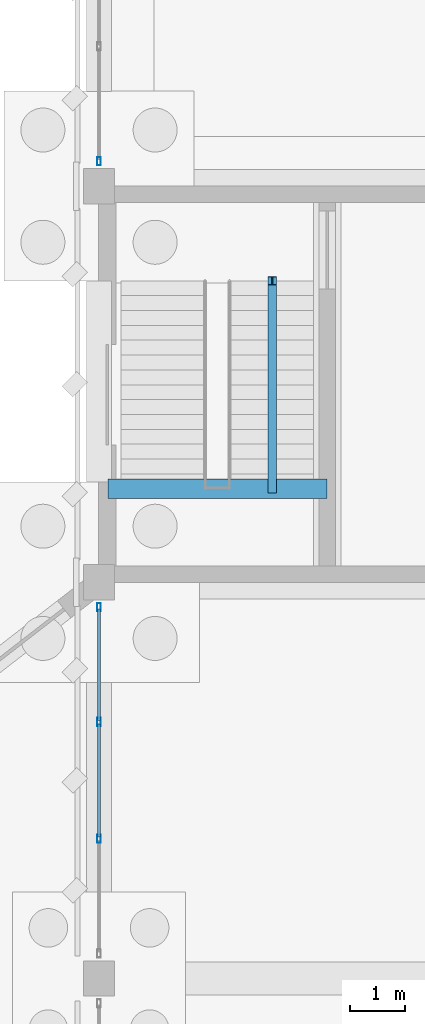
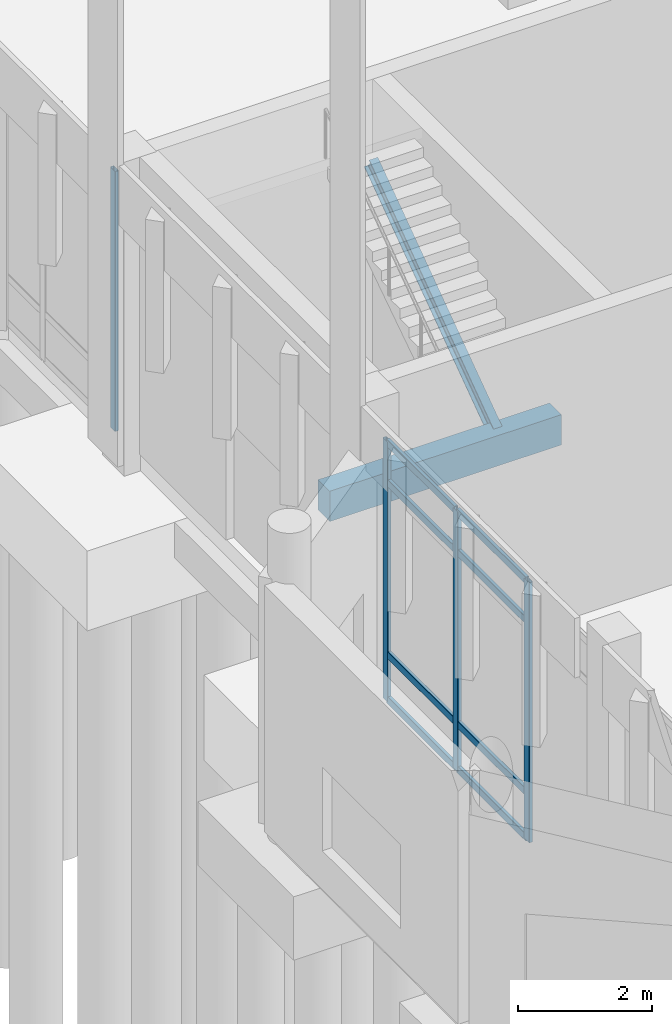
# One storey, part 35 of 109: 12 members, 2 beams, 2 elements without a shape of their own.
"""IFC4 building model written with IfcOpenShell, lengths in metres."""

from ifc_helpers import new_model, si_unit, direction, frame, origin, origin_2d, place, context, subcontext, project, spatial, rectangle, hollow_rectangle, i_section, extrude, material, material_profile, profile_set, type_object, element, aggregate, save


model = new_model("IFC4")

# Units and contexts
model_context = context("Model", 3, precision=1e-05, world=origin(), true_north=direction((0.0, 1.0)))
body_context = subcontext(model_context, "Body", "Model", "MODEL_VIEW")
ifc_project = project(units=[si_unit("LENGTHUNIT", "METRE"), si_unit("AREAUNIT", "SQUARE_METRE"), si_unit("VOLUMEUNIT", "CUBIC_METRE"), si_unit("PLANEANGLEUNIT", "RADIAN"), si_unit("MASSUNIT", "GRAM", prefix="KILO")], contexts=[model_context])

# Site, building, storey
site_placement = place(None, origin())
site = spatial("IfcSite", under=ifc_project, at=site_placement, CompositionType="ELEMENT")
building_placement = place(site_placement, origin())
building = spatial("IfcBuilding", under=site, at=building_placement, Name="Lusvemor Sports Hall", CompositionType="ELEMENT")
storey_placement = place(building_placement, origin())
storey = spatial("IfcBuildingStorey", under=building, at=storey_placement, Name="L00", CompositionType="ELEMENT", Elevation=0.0)

# Beam
ifc_material_1 = material(Name="Concrete C40/50", Category="concrete")
ifc_material_profile_1 = material_profile(ifc_material_1, rectangle(XDim=0.35009765625, YDim=0.550048828125, at=origin_2d()), Name="RC350x550")
ifc_profile_set_1 = profile_set([ifc_material_profile_1], Name="Concrete C40/50")
beam_type_1 = type_object("IfcBeamType", Name="BEAM_RC_550", PredefinedType="BEAM", material=ifc_profile_set_1)
beam_1_placement = place(storey_placement, frame((0.159912109375, 70.10009765625, 2.2451171875), z_axis=(1.0, 0.0, 0.0), x_axis=(0.0, 1.0, 0.0)))
element("IfcBeam", 1, at=beam_1_placement, inside=storey, type_object=beam_type_1, Name="Stair STR-C3-L00 Mid-Landing Beam", PredefinedType="BEAM", context=body_context, shape_type="SweptSolid", body=[
    extrude(rectangle(XDim=0.35009765625, YDim=0.550048828125, at=origin_2d()), origin(), (0.0, 0.0, 1.0), 3.97998046875),
])

# Curtain wall, members
ifc_material_2 = material(Name="Thermally broken bronze-anodized aluminium", Category="aluminium")
curtain_wall_type = type_object("IfcCurtainWallType", Name="CW_WING_B", PredefinedType="NOTDEFINED", material=ifc_material_2)
curtain_wall_1_placement = place(storey_placement, origin())
curtain_wall_1 = element("IfcCurtainWall", 2, at=curtain_wall_1_placement, inside=storey, type_object=curtain_wall_type, Name="Curtain Wall CW-L00-W-0-2", PredefinedType="NOTDEFINED")
ifc_material_3 = material(Name="Thermally broken bronze-anodized aluminium", Category="aluminium")
ifc_material_profile_2 = material_profile(ifc_material_3, hollow_rectangle(XDim=0.06494140625, YDim=0.14990234375, WallThickness=0.00390625, InnerFilletRadius=0.00390625, OuterFilletRadius=0.008056640625, at=origin_2d()), Name="CWMUL150x65x4")
ifc_profile_set_2 = profile_set([ifc_material_profile_2], Name="Thermally broken bronze-anodized aluminium")
member_type_1 = type_object("IfcMemberType", Name="CW_MUL_B", PredefinedType="MULLION", material=ifc_profile_set_2)
member_1_placement = place(storey_placement, frame((0.0, 63.739990234375, 0.0), z_axis=(0.0, 0.0, 1.0), x_axis=(-1.0, 0.0, 0.0)))
member_1 = element("IfcMember", 3, at=member_1_placement, type_object=member_type_1, Name="CW02 mullion 2", PredefinedType="MULLION", context=body_context, shape_type="SweptSolid", body=[
    extrude(hollow_rectangle(XDim=0.06494140625, YDim=0.14990234375, WallThickness=0.00390625, InnerFilletRadius=0.00390625, OuterFilletRadius=0.008056640625, at=origin_2d()), origin(), (0.0, 0.0, 1.0), 4.719970703125),
])
member_2_placement = place(storey_placement, frame((0.0, 65.860107421875, 0.0), z_axis=(0.0, 0.0, 1.0), x_axis=(-1.0, 0.0, 0.0)))
member_2 = element("IfcMember", 4, at=member_2_placement, type_object=member_type_1, Name="CW02 mullion 3", PredefinedType="MULLION", context=body_context, shape_type="SweptSolid", body=[
    extrude(hollow_rectangle(XDim=0.06494140625, YDim=0.14990234375, WallThickness=0.00390625, InnerFilletRadius=0.00390625, OuterFilletRadius=0.008056640625, at=origin_2d()), origin(), (0.0, 0.0, 1.0), 4.719970703125),
])
member_3_placement = place(storey_placement, frame((0.0, 67.947509765625, 0.0), z_axis=(0.0, 0.0, 1.0), x_axis=(-1.0, 0.0, 0.0)))
member_3 = element("IfcMember", 5, at=member_3_placement, type_object=member_type_1, Name="CW02 mullion 4", PredefinedType="MULLION", context=body_context, shape_type="SweptSolid", body=[
    extrude(hollow_rectangle(XDim=0.06494140625, YDim=0.14990234375, WallThickness=0.00390625, InnerFilletRadius=0.00390625, OuterFilletRadius=0.008056640625, at=origin_2d()), origin(), (0.0, 0.0, 1.0), 4.719970703125),
])

# Curtain wall, member
curtain_wall_2_placement = place(storey_placement, origin())
curtain_wall_2 = element("IfcCurtainWall", 6, at=curtain_wall_2_placement, inside=storey, type_object=curtain_wall_type, Name="Curtain Wall CW-L00-W-0-4", PredefinedType="NOTDEFINED")
member_4_placement = place(storey_placement, frame((0.0, 76.052490234375, 0.0), z_axis=(0.0, 0.0, 1.0), x_axis=(-1.0, 0.0, 0.0)))
member_4 = element("IfcMember", 7, at=member_4_placement, type_object=member_type_1, Name="CW02 mullion 1", PredefinedType="MULLION", context=body_context, shape_type="SweptSolid", body=[
    extrude(hollow_rectangle(XDim=0.06494140625, YDim=0.14990234375, WallThickness=0.00390625, InnerFilletRadius=0.00390625, OuterFilletRadius=0.008056640625, at=origin_2d()), origin(), (0.0, 0.0, 1.0), 4.719970703125),
])
aggregate(curtain_wall_2, [member_4])

# Member
ifc_material_4 = material(Name="Thermally broken bronze-anodized aluminium", Category="aluminium")
ifc_material_profile_3 = material_profile(ifc_material_4, hollow_rectangle(XDim=0.06005859375, YDim=0.135009765625, WallThickness=0.00390625, InnerFilletRadius=0.00390625, OuterFilletRadius=0.008056640625, at=origin_2d()), Name="CWTRN135x60x4")
ifc_profile_set_3 = profile_set([ifc_material_profile_3], Name="Thermally broken bronze-anodized aluminium")
member_type_2 = type_object("IfcMemberType", Name="CW_TRN_B", PredefinedType="USERDEFINED", material=ifc_profile_set_3)
member_5_placement = place(storey_placement, frame((0.0, 63.7724609375, 0.030029296875), z_axis=(0.0, 1.0, 0.0), x_axis=(-1.0, 0.0, 0.0)))
member_5 = element("IfcMember", 8, at=member_5_placement, type_object=member_type_2, Name="CW02 transom 2.1", ObjectType="TRANSOM", PredefinedType="USERDEFINED", context=body_context, shape_type="SweptSolid", body=[
    extrude(hollow_rectangle(XDim=0.06005859375, YDim=0.135009765625, WallThickness=0.00390625, InnerFilletRadius=0.00390625, OuterFilletRadius=0.008056640625, at=origin_2d()), origin(), (0.0, 0.0, 1.0), 2.054931640625),
])

member_6_placement = place(storey_placement, frame((0.0, 63.7724609375, 0.85009765625), z_axis=(0.0, 1.0, 0.0), x_axis=(-1.0, 0.0, 0.0)))
member_6 = element("IfcMember", 9, at=member_6_placement, type_object=member_type_2, Name="CW02 transom 2.2", ObjectType="TRANSOM", PredefinedType="USERDEFINED", context=body_context, shape_type="SweptSolid", body=[
    extrude(hollow_rectangle(XDim=0.06005859375, YDim=0.135009765625, WallThickness=0.00390625, InnerFilletRadius=0.00390625, OuterFilletRadius=0.008056640625, at=origin_2d()), origin(), (0.0, 0.0, 1.0), 2.054931640625),
])

member_7_placement = place(storey_placement, frame((0.0, 63.7724609375, 3.969970703125), z_axis=(0.0, 1.0, 0.0), x_axis=(-1.0, 0.0, 0.0)))
member_7 = element("IfcMember", 10, at=member_7_placement, type_object=member_type_2, Name="CW02 transom 2.3", ObjectType="TRANSOM", PredefinedType="USERDEFINED", context=body_context, shape_type="SweptSolid", body=[
    extrude(hollow_rectangle(XDim=0.06005859375, YDim=0.135009765625, WallThickness=0.00390625, InnerFilletRadius=0.00390625, OuterFilletRadius=0.008056640625, at=origin_2d()), origin(), (0.0, 0.0, 1.0), 2.054931640625),
])

member_8_placement = place(storey_placement, frame((0.0, 63.7724609375, 4.68994140625), z_axis=(0.0, 1.0, 0.0), x_axis=(-1.0, 0.0, 0.0)))
member_8 = element("IfcMember", 11, at=member_8_placement, type_object=member_type_2, Name="CW02 transom 2.4", ObjectType="TRANSOM", PredefinedType="USERDEFINED", context=body_context, shape_type="SweptSolid", body=[
    extrude(hollow_rectangle(XDim=0.06005859375, YDim=0.135009765625, WallThickness=0.00390625, InnerFilletRadius=0.00390625, OuterFilletRadius=0.008056640625, at=origin_2d()), origin(), (0.0, 0.0, 1.0), 2.054931640625),
])

member_9_placement = place(storey_placement, frame((0.0, 65.892578125, 0.030029296875), z_axis=(0.0, 1.0, 0.0), x_axis=(-1.0, 0.0, 0.0)))
member_9 = element("IfcMember", 12, at=member_9_placement, type_object=member_type_2, Name="CW02 transom 3.1", ObjectType="TRANSOM", PredefinedType="USERDEFINED", context=body_context, shape_type="SweptSolid", body=[
    extrude(hollow_rectangle(XDim=0.06005859375, YDim=0.135009765625, WallThickness=0.00390625, InnerFilletRadius=0.00390625, OuterFilletRadius=0.008056640625, at=origin_2d()), origin(), (0.0, 0.0, 1.0), 2.0224609375),
])

member_10_placement = place(storey_placement, frame((0.0, 65.892578125, 0.85009765625), z_axis=(0.0, 1.0, 0.0), x_axis=(-1.0, 0.0, 0.0)))
member_10 = element("IfcMember", 13, at=member_10_placement, type_object=member_type_2, Name="CW02 transom 3.2", ObjectType="TRANSOM", PredefinedType="USERDEFINED", context=body_context, shape_type="SweptSolid", body=[
    extrude(hollow_rectangle(XDim=0.06005859375, YDim=0.135009765625, WallThickness=0.00390625, InnerFilletRadius=0.00390625, OuterFilletRadius=0.008056640625, at=origin_2d()), origin(), (0.0, 0.0, 1.0), 2.0224609375),
])

member_11_placement = place(storey_placement, frame((0.0, 65.892578125, 3.969970703125), z_axis=(0.0, 1.0, 0.0), x_axis=(-1.0, 0.0, 0.0)))
member_11 = element("IfcMember", 14, at=member_11_placement, type_object=member_type_2, Name="CW02 transom 3.3", ObjectType="TRANSOM", PredefinedType="USERDEFINED", context=body_context, shape_type="SweptSolid", body=[
    extrude(hollow_rectangle(XDim=0.06005859375, YDim=0.135009765625, WallThickness=0.00390625, InnerFilletRadius=0.00390625, OuterFilletRadius=0.008056640625, at=origin_2d()), origin(), (0.0, 0.0, 1.0), 2.0224609375),
])

member_12_placement = place(storey_placement, frame((0.0, 65.892578125, 4.68994140625), z_axis=(0.0, 1.0, 0.0), x_axis=(-1.0, 0.0, 0.0)))
member_12 = element("IfcMember", 15, at=member_12_placement, type_object=member_type_2, Name="CW02 transom 3.4", ObjectType="TRANSOM", PredefinedType="USERDEFINED", context=body_context, shape_type="SweptSolid", body=[
    extrude(hollow_rectangle(XDim=0.06005859375, YDim=0.135009765625, WallThickness=0.00390625, InnerFilletRadius=0.00390625, OuterFilletRadius=0.008056640625, at=origin_2d()), origin(), (0.0, 0.0, 1.0), 2.0224609375),
])

aggregate(curtain_wall_1, [member_1, member_2, member_3, member_5, member_6, member_7, member_8, member_9, member_10, member_11, member_12])

# Beam
ifc_material_5 = material(Name="Steel S355", Category="steel")
ifc_material_profile_4 = material_profile(ifc_material_5, i_section(OverallWidth=0.14794921875, OverallDepth=0.26611328125, WebThickness=0.007568359375, FlangeThickness=0.012939453125, FilletRadius=0.012939453125, at=origin_2d()), Name="W250x44.8")
ifc_profile_set_4 = profile_set([ifc_material_profile_4], Name="Steel S355")
beam_type_2 = type_object("IfcBeamType", Name="JOIST_ST_250M", PredefinedType="JOIST", material=ifc_profile_set_4)
beam_2_placement = place(storey_placement, frame((3.14990234375, 70.10009765625, 2.35498046875), z_axis=(0.0, 0.813722817161, 0.581253109094), x_axis=(-1.0, 0.0, 0.0)))
element("IfcBeam", 16, at=beam_2_placement, inside=storey, type_object=beam_type_2, Name="Stair STR-C3-L00 Flight 2 Stringer Beam", PredefinedType="JOIST", context=body_context, shape_type="SweptSolid", body=[
    extrude(i_section(OverallWidth=0.14794921875, OverallDepth=0.26611328125, WebThickness=0.007568359375, FlangeThickness=0.012939453125, FilletRadius=0.012939453125, at=origin_2d()), origin(), (0.0, 0.0, 1.0), 4.64501953125),
])

save(model, "model.ifc")
